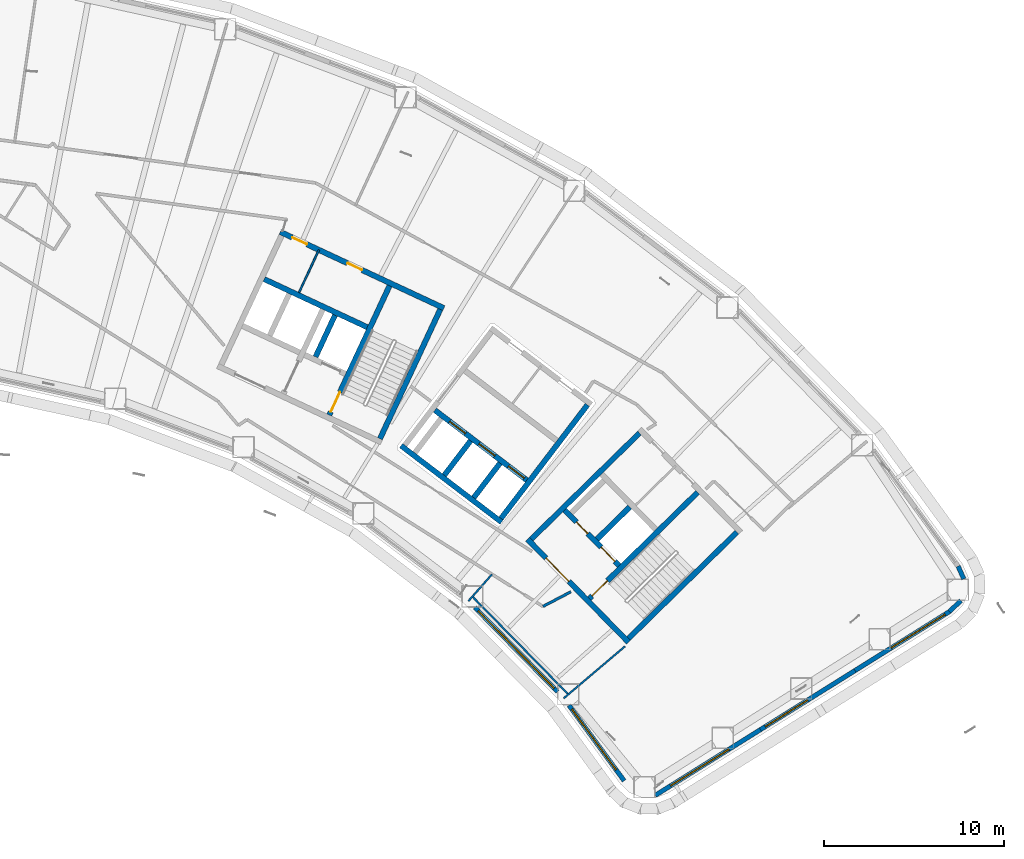
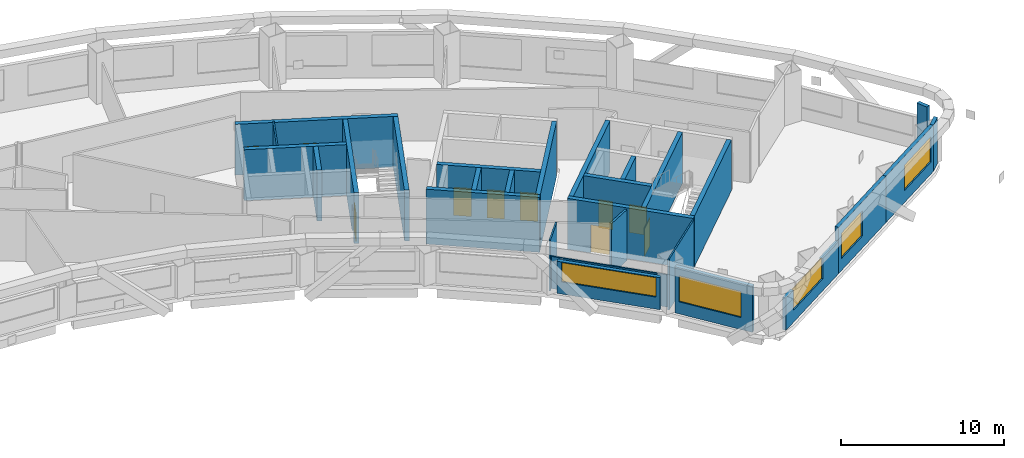
# One storey, part 6 of 19: 28 walls, 10 doors, 5 windows, 15 openings.
"""IFC4 building model written with IfcOpenShell, lengths in metres."""

from ifc_helpers import new_model, si_unit, direction, frame, frame_2d, origin, place, context, subcontext, project, spatial, rectangle, extrude, material, layer, layer_set, type_object, element, fill, save


model = new_model("IFC4")

# Units and contexts
model_context = context("Model", 3, precision=1e-05, world=origin(), true_north=direction((0.0, 1.0)))
body_context = subcontext(model_context, "Body", "Model", "MODEL_VIEW")
ifc_project = project(units=[si_unit("LENGTHUNIT", "METRE"), si_unit("AREAUNIT", "SQUARE_METRE"), si_unit("VOLUMEUNIT", "CUBIC_METRE"), si_unit("PLANEANGLEUNIT", "RADIAN"), si_unit("MASSUNIT", "GRAM", prefix="KILO")], contexts=[model_context])

# Site, building, storey
site_placement = place(None, origin())
site = spatial("IfcSite", under=ifc_project, at=site_placement, CompositionType="ELEMENT")
building_placement = place(site_placement, origin())
building = spatial("IfcBuilding", under=site, at=building_placement, Name="Tuul Gate Civic Tower", CompositionType="ELEMENT")
storey_placement = place(building_placement, frame((0.0, 0.0, 90.60009765625)))
storey = spatial("IfcBuildingStorey", under=building, at=storey_placement, Name="Level 20", CompositionType="ELEMENT", Elevation=90.60009765625)

# Wall, opening, door
ifc_material_1 = material(Name="Concrete C50/60", Category="concrete")
ifc_layer_1 = layer(ifc_material_1, 0.300048828125)
ifc_layer_set_1 = layer_set([ifc_layer_1], Name="Concrete C50/60")
wall_type_1 = type_object("IfcWallType", Name="Core wall C50/60", PredefinedType="SHEAR", material=ifc_layer_set_1)
wall_1_placement = place(storey_placement, frame((48.22509765625, -18.327880859375, 0.0), z_axis=(0.0, 0.0, 1.0), x_axis=(-0.700021979774, 0.714121297703, 0.0)))
wall_1 = element("IfcWall", 1, at=wall_1_placement, inside=storey, type_object=wall_type_1, Name="Core wall", PredefinedType="SHEAR", context=body_context, shape_type="SweptSolid", body=[
    extrude(rectangle(XDim=8.0, YDim=0.300048828125, at=frame_2d((4.0, 0.0))), origin(), (0.0, 0.0, 1.0), 3.7998046875),
])
opening_1_placement = place(wall_1_placement, frame((4.72509765625, 0.0, 0.0)))
opening_1 = element("IfcOpeningElement", 2, at=opening_1_placement, cuts=wall_1, Name="Opening LB-E1-LOBBY-1", PredefinedType="OPENING", context=body_context, shape_type="SweptSolid", body=[
    extrude(rectangle(XDim=1.800048828125, YDim=2.10009765625, at=frame_2d((0.89990234375, 1.050048828125))), frame((0.0, 0.16015625, 0.0), z_axis=(0.0, -1.0, 0.0), x_axis=(1.0, 0.0, 0.0)), (0.0, 0.0, 1.0), 0.320068359375),
])
ifc_material_2 = material(Name="Steel", Category="steel")
door_type_1 = type_object("IfcDoorType", Name="Lobby door", OperationType="DOUBLE_DOOR_SINGLE_SWING", PredefinedType="DOOR", material=ifc_material_2)
door_1_placement = place(opening_1_placement, frame((1.800048828125, 0.0, 0.0), z_axis=(0.0, 0.0, 1.0), x_axis=(-1.0, 0.0, 0.0)))
door_1 = element("IfcDoor", 3, at=door_1_placement, inside=storey, type_object=door_type_1, Name="Lobby door E1-LOBBY", OperationType="DOUBLE_DOOR_SINGLE_SWING", OverallHeight=2.10009765625, OverallWidth=1.800048828125, PredefinedType="DOOR", context=body_context, shape_type="SweptSolid", body=[
    extrude(rectangle(XDim=1.800048828125, YDim=2.10009765625, at=frame_2d((0.900146484375, 1.050048828125))), frame((0.0, 0.02490234375, 0.0), z_axis=(0.0, -1.0, 0.0), x_axis=(1.0, 0.0, 0.0)), (0.0, 0.0, 1.0), 0.050048828125),
])
fill(opening_1, door_1)

# Wall, openings, doors
wall_2_placement = place(storey_placement, frame((47.701904296875, -14.079833984375, 0.0), z_axis=(0.0, 0.0, 1.0), x_axis=(-0.700002721075, 0.714140175657, 0.0)))
wall_2 = element("IfcWall", 4, at=wall_2_placement, inside=storey, type_object=wall_type_1, Name="Core wall", PredefinedType="SHEAR", context=body_context, shape_type="SweptSolid", body=[
    extrude(rectangle(XDim=4.300048828125, YDim=0.300048828125, at=frame_2d((2.14990234375, 0.0))), origin(), (0.0, 0.0, 1.0), 3.7998046875),
])
opening_2_placement = place(wall_2_placement, frame((0.324951171875, 0.0, 0.0)))
opening_2 = element("IfcOpeningElement", 5, at=opening_2_placement, cuts=wall_2, Name="Opening LD-L4", PredefinedType="OPENING", context=body_context, shape_type="SweptSolid", body=[
    extrude(rectangle(XDim=1.10009765625, YDim=2.10009765625, at=frame_2d((0.550048828125, 1.050048828125))), frame((0.0, 0.16015625, 0.0), z_axis=(0.0, -1.0, 0.0), x_axis=(1.0, 0.0, 0.0)), (0.0, 0.0, 1.0), 0.320068359375),
])
opening_3_placement = place(wall_2_placement, frame((2.47509765625, 0.0, 0.0)))
opening_3 = element("IfcOpeningElement", 6, at=opening_3_placement, cuts=wall_2, Name="Opening FB-E1A2", PredefinedType="OPENING", context=body_context, shape_type="SweptSolid", body=[
    extrude(rectangle(XDim=0.89990234375, YDim=2.10009765625, at=frame_2d((0.449951171875, 1.050048828125))), frame((0.0, 0.16015625, 0.0), z_axis=(0.0, -1.0, 0.0), x_axis=(1.0, 0.0, 0.0)), (0.0, 0.0, 1.0), 0.320068359375),
])
ifc_material_3 = material(Name="Stainless steel", Category="steel")
door_type_2 = type_object("IfcDoorType", Name="Landing door", OperationType="DOUBLE_DOOR_SLIDING", PredefinedType="DOOR", material=ifc_material_3)
door_2_placement = place(opening_2_placement, origin())
door_2 = element("IfcDoor", 7, at=door_2_placement, inside=storey, type_object=door_type_2, Name="Low-rise lift L4 landing door", OperationType="DOUBLE_DOOR_SLIDING", OverallHeight=2.10009765625, OverallWidth=1.10009765625, PredefinedType="DOOR", context=body_context, shape_type="SweptSolid", body=[
    extrude(rectangle(XDim=1.10009765625, YDim=2.10009765625, at=frame_2d((0.550048828125, 1.050048828125))), frame((0.0, 0.02490234375, 0.0), z_axis=(0.0, -1.0, 0.0), x_axis=(1.0, 0.0, 0.0)), (0.0, 0.0, 1.0), 0.050048828125),
])
fill(opening_2, door_2)
ifc_material_4 = material(Name="Steel", Category="steel")
door_type_3 = type_object("IfcDoorType", Name="Store door", OperationType="NOTDEFINED", PredefinedType="DOOR", material=ifc_material_4)
door_3_placement = place(opening_3_placement, frame((0.89990234375, 0.0, 0.0), z_axis=(0.0, 0.0, 1.0), x_axis=(-1.0, 0.0, 0.0)))
door_3 = element("IfcDoor", 8, at=door_3_placement, inside=storey, type_object=door_type_3, Name="Store door E1A2", OperationType="SINGLE_SWING_LEFT", OverallHeight=2.10009765625, OverallWidth=0.89990234375, PredefinedType="DOOR", context=body_context, shape_type="SweptSolid", body=[
    extrude(rectangle(XDim=0.89990234375, YDim=2.10009765625, at=frame_2d((0.449951171875, 1.050048828125))), frame((0.0, 0.02490234375, 0.0), z_axis=(0.0, -1.0, 0.0), x_axis=(1.0, 0.0, 0.0)), (0.0, 0.0, 1.0), 0.050048828125),
])
fill(opening_3, door_3)

# Wall
wall_3_placement = place(storey_placement, frame((48.227294921875, -18.115966796875, 0.0), z_axis=(0.0, 0.0, 1.0), x_axis=(0.714105315431, 0.700038283577, 0.0)))
element("IfcWall", 9, at=wall_3_placement, inside=storey, type_object=wall_type_1, Name="Core wall", PredefinedType="SHEAR", context=body_context, shape_type="SweptSolid", body=[
    extrude(rectangle(XDim=8.400146484375, YDim=0.300048828125, at=frame_2d((4.2001953125, 0.0))), origin(), (0.0, 0.0, 1.0), 3.7998046875),
])

# Wall, opening, door
wall_4_placement = place(storey_placement, frame((46.05712890625, -15.902099609375, 0.0), z_axis=(0.0, 0.0, 1.0), x_axis=(0.714134086973, 0.700008932674, 0.0)))
wall_4 = element("IfcWall", 10, at=wall_4_placement, inside=storey, type_object=wall_type_1, Name="Core wall", PredefinedType="SHEAR", context=body_context, shape_type="SweptSolid", body=[
    extrude(rectangle(XDim=8.400146484375, YDim=0.300048828125, at=frame_2d((4.2001953125, 0.0))), origin(), (0.0, 0.0, 1.0), 3.7998046875),
])
opening_4_placement = place(wall_4_placement, frame((0.199951171875, 0.0, 0.0)))
opening_4 = element("IfcOpeningElement", 11, at=opening_4_placement, cuts=wall_4, Name="Opening SD-ST-3", PredefinedType="OPENING", context=body_context, shape_type="SweptSolid", body=[
    extrude(rectangle(XDim=1.199951171875, YDim=2.10009765625, at=frame_2d((0.60009765625, 1.050048828125))), frame((0.0, 0.16015625, 0.0), z_axis=(0.0, -1.0, 0.0), x_axis=(1.0, 0.0, 0.0)), (0.0, 0.0, 1.0), 0.320068359375),
])
ifc_material_5 = material(Name="Steel", Category="steel")
door_type_4 = type_object("IfcDoorType", Name="Stair door", OperationType="NOTDEFINED", PredefinedType="DOOR", material=ifc_material_5)
door_4_placement = place(opening_4_placement, origin())
door_4 = element("IfcDoor", 12, at=door_4_placement, inside=storey, type_object=door_type_4, Name="Stair door ST-3", OperationType="SINGLE_SWING_LEFT", OverallHeight=2.10009765625, OverallWidth=1.199951171875, PredefinedType="DOOR", context=body_context, shape_type="SweptSolid", body=[
    extrude(rectangle(XDim=1.199951171875, YDim=2.10009765625, at=frame_2d((0.60009765625, 1.050048828125))), frame((0.0, 0.02490234375, 0.0), z_axis=(0.0, -1.0, 0.0), x_axis=(1.0, 0.0, 0.0)), (0.0, 0.0, 1.0), 0.050048828125),
])
fill(opening_4, door_4)

# Walls
wall_5_placement = place(storey_placement, frame((46.47900390625, -12.617919921875, 0.0), z_axis=(0.0, 0.0, 1.0), x_axis=(0.71410944159, 0.700034074479, 0.0)))
element("IfcWall", 13, at=wall_5_placement, inside=storey, type_object=wall_type_1, Name="Core wall", PredefinedType="SHEAR", context=body_context, shape_type="SweptSolid", body=[
    extrude(rectangle(XDim=2.5498046875, YDim=0.300048828125, at=frame_2d((1.27490234375, 0.0))), origin(), (0.0, 0.0, 1.0), 3.7998046875),
])
wall_6_placement = place(storey_placement, frame((42.837158203125, -12.616943359375, 0.0), z_axis=(0.0, 0.0, 1.0), x_axis=(0.714119844755, 0.700023461983, 0.0)))
element("IfcWall", 14, at=wall_6_placement, inside=storey, type_object=wall_type_1, Name="Core wall", PredefinedType="SHEAR", context=body_context, shape_type="SweptSolid", body=[
    extrude(rectangle(XDim=8.39990234375, YDim=0.300048828125, at=frame_2d((4.199951171875, 0.0))), origin(), (0.0, 0.0, 1.0), 3.7998046875),
])
wall_7_placement = place(storey_placement, frame((33.75, -0.873779296875, 0.0), z_axis=(0.0, 0.0, 1.0), x_axis=(-0.906300917592, 0.422632992999, 0.0)))
element("IfcWall", 15, at=wall_7_placement, inside=storey, type_object=wall_type_1, Name="Core wall", PredefinedType="SHEAR", context=body_context, shape_type="SweptSolid", body=[
    extrude(rectangle(XDim=6.300048828125, YDim=0.300048828125, at=frame_2d((3.14990234375, 0.0))), origin(), (0.0, 0.0, 1.0), 3.7998046875),
])

# Wall, openings, doors
wall_8_placement = place(storey_placement, frame((37.993408203125, 0.181884765625, 0.0), z_axis=(0.0, 0.0, 1.0), x_axis=(-0.906310338845, 0.422612789327, 0.0)))
wall_8 = element("IfcWall", 16, at=wall_8_placement, inside=storey, type_object=wall_type_1, Name="Core wall", PredefinedType="SHEAR", context=body_context, shape_type="SweptSolid", body=[
    extrude(rectangle(XDim=9.999755859375, YDim=0.300048828125, at=frame_2d((5.0, 0.0))), origin(), (0.0, 0.0, 1.0), 3.7998046875),
])
opening_5_placement = place(wall_8_placement, frame((4.99365234375, 0.0, 0.0)))
opening_5 = element("IfcOpeningElement", 17, at=opening_5_placement, cuts=wall_8, Name="Opening F-D31", PredefinedType="OPENING", context=body_context, shape_type="SweptSolid", body=[
    extrude(rectangle(XDim=0.89990234375, YDim=2.10009765625, at=frame_2d((0.449951171875, 1.050048828125))), frame((0.0, 0.16015625, 0.0), z_axis=(0.0, -1.0, 0.0), x_axis=(1.0, 0.0, 0.0)), (0.0, 0.0, 1.0), 0.320068359375),
])
opening_6_placement = place(wall_8_placement, frame((8.368896484375, 0.0, 0.0)))
opening_6 = element("IfcOpeningElement", 18, at=opening_6_placement, cuts=wall_8, Name="Opening F-D32", PredefinedType="OPENING", context=body_context, shape_type="SweptSolid", body=[
    extrude(rectangle(XDim=0.89990234375, YDim=2.10009765625, at=frame_2d((0.449951171875, 1.050048828125))), frame((0.0, 0.16015625, 0.0), z_axis=(0.0, -1.0, 0.0), x_axis=(1.0, 0.0, 0.0)), (0.0, 0.0, 1.0), 0.320068359375),
])
ifc_material_6 = material(Name="Timber door leaf", Category="wood")
door_type_5 = type_object("IfcDoorType", Name="Door D09", OperationType="NOTDEFINED", PredefinedType="DOOR", material=ifc_material_6)
door_5_placement = place(opening_5_placement, origin())
door_5 = element("IfcDoor", 19, at=door_5_placement, inside=storey, type_object=door_type_5, Name="Door F-D31", OperationType="SINGLE_SWING_LEFT", OverallHeight=2.10009765625, OverallWidth=0.89990234375, PredefinedType="DOOR", context=body_context, shape_type="SweptSolid", body=[
    extrude(rectangle(XDim=0.89990234375, YDim=2.10009765625, at=frame_2d((0.449951171875, 1.050048828125))), frame((0.0, 0.02490234375, 0.0), z_axis=(0.0, -1.0, 0.0), x_axis=(1.0, 0.0, 0.0)), (0.0, 0.0, 1.0), 0.050048828125),
])
fill(opening_5, door_5)
door_6_placement = place(opening_6_placement, origin())
door_6 = element("IfcDoor", 20, at=door_6_placement, inside=storey, type_object=door_type_5, Name="Door F-D32", OperationType="SINGLE_SWING_RIGHT", OverallHeight=2.10009765625, OverallWidth=0.89990234375, PredefinedType="DOOR", context=body_context, shape_type="SweptSolid", body=[
    extrude(rectangle(XDim=0.89990234375, YDim=2.10009765625, at=frame_2d((0.449951171875, 1.050048828125))), frame((0.0, 0.02490234375, 0.0), z_axis=(0.0, -1.0, 0.0), x_axis=(1.0, 0.0, 0.0)), (0.0, 0.0, 1.0), 0.050048828125),
])
fill(opening_6, door_6)

# Wall
wall_9_placement = place(storey_placement, frame((34.455810546875, -7.05078125, 0.0), z_axis=(0.0, 0.0, 1.0), x_axis=(0.422570768258, 0.906329932096, 0.0)))
element("IfcWall", 21, at=wall_9_placement, inside=storey, type_object=wall_type_1, Name="Core wall", PredefinedType="SHEAR", context=body_context, shape_type="SweptSolid", body=[
    extrude(rectangle(XDim=7.900146484375, YDim=0.300048828125, at=frame_2d((3.9501953125, 0.0))), origin(), (0.0, 0.0, 1.0), 3.7998046875),
])

# Wall, opening, door
wall_10_placement = place(storey_placement, frame((31.646240234375, -5.740478515625, 0.0), z_axis=(0.0, 0.0, 1.0), x_axis=(0.422582604137, 0.906324413596, 0.0)))
wall_10 = element("IfcWall", 22, at=wall_10_placement, inside=storey, type_object=wall_type_1, Name="Core wall", PredefinedType="SHEAR", context=body_context, shape_type="SweptSolid", body=[
    extrude(rectangle(XDim=7.89990234375, YDim=0.300048828125, at=frame_2d((3.949951171875, 0.0))), origin(), (0.0, 0.0, 1.0), 3.7998046875),
])
opening_7_placement = place(wall_10_placement, frame((0.199951171875, 0.0, 0.0)))
opening_7 = element("IfcOpeningElement", 23, at=opening_7_placement, cuts=wall_10, Name="Opening SD-ST-4", PredefinedType="OPENING", context=body_context, shape_type="SweptSolid", body=[
    extrude(rectangle(XDim=1.199951171875, YDim=2.10009765625, at=frame_2d((0.60009765625, 1.050048828125))), frame((0.0, 0.16015625, 0.0), z_axis=(0.0, -1.0, 0.0), x_axis=(1.0, 0.0, 0.0)), (0.0, 0.0, 1.0), 0.320068359375),
])
door_7_placement = place(opening_7_placement, origin())
door_7 = element("IfcDoor", 24, at=door_7_placement, inside=storey, type_object=door_type_4, Name="Stair door ST-4", OperationType="SINGLE_SWING_LEFT", OverallHeight=2.10009765625, OverallWidth=1.199951171875, PredefinedType="DOOR", context=body_context, shape_type="SweptSolid", body=[
    extrude(rectangle(XDim=1.199951171875, YDim=2.10009765625, at=frame_2d((0.60009765625, 1.050048828125))), frame((0.0, 0.02490234375, 0.0), z_axis=(0.0, -1.0, 0.0), x_axis=(1.0, 0.0, 0.0)), (0.0, 0.0, 1.0), 0.050048828125),
])
fill(opening_7, door_7)

# Walls
wall_11_placement = place(storey_placement, frame((30.886962890625, -2.517822265625, 0.0), z_axis=(0.0, 0.0, 1.0), x_axis=(0.422612891016, 0.906310291427, 0.0)))
element("IfcWall", 25, at=wall_11_placement, inside=storey, type_object=wall_type_1, Name="Core wall", PredefinedType="SHEAR", context=body_context, shape_type="SweptSolid", body=[
    extrude(rectangle(XDim=2.550048828125, YDim=0.300048828125, at=frame_2d((1.27490234375, 0.0))), origin(), (0.0, 0.0, 1.0), 3.7998046875),
])
ifc_material_7 = material(Name="Gypsum board partition")
ifc_layer_2 = layer(ifc_material_7, 0.14990234375)
ifc_layer_set_2 = layer_set([ifc_layer_2], Name="Gypsum board partition")
wall_type_2 = type_object("IfcWallType", Name="Corridor wall P150", PredefinedType="PARTITIONING", material=ifc_layer_set_2)
wall_12_placement = place(storey_placement, frame((43.486328125, -16.343505859375, 0.0), z_axis=(0.0, 0.0, 1.0), x_axis=(0.885541573499, 0.464560137769, 0.0)))
element("IfcWall", 26, at=wall_12_placement, inside=storey, type_object=wall_type_2, Name="p038", PredefinedType="PARTITIONING", context=body_context, shape_type="SweptSolid", body=[
    extrude(rectangle(XDim=1.747802734375, YDim=0.14990234375, at=frame_2d((0.8740234375, 0.0))), origin(), (0.0, 0.0, 1.0), 3.7998046875),
])
ifc_material_8 = material(Name="Precast concrete C40/50", Category="concrete")
ifc_layer_3 = layer(ifc_material_8, 0.25)
ifc_layer_set_3 = layer_set([ifc_layer_3], Name="Precast concrete C40/50")
wall_type_3 = type_object("IfcWallType", Name="External wall", PredefinedType="STANDARD", material=ifc_layer_set_3)
wall_13_placement = place(storey_placement, frame((65.99853515625, -16.634765625, 0.0), z_axis=(0.0, 0.0, 1.0), x_axis=(0.722211506859, 0.691672277426, 0.0)))
element("IfcWall", 27, at=wall_13_placement, inside=storey, type_object=wall_type_3, Name="External wall", PredefinedType="STANDARD", context=body_context, shape_type="SweptSolid", body=[
    extrude(rectangle(XDim=0.887451171875, YDim=0.25, at=frame_2d((0.44384765625, 0.0))), origin(), (0.0, 0.0, 1.0), 3.449951171875),
])
wall_14_placement = place(storey_placement, frame((66.803955078125, -14.821044921875, 0.0), z_axis=(0.0, 0.0, 1.0), x_axis=(-0.412280175097, 0.911057109748, 0.0)))
element("IfcWall", 28, at=wall_14_placement, inside=storey, type_object=wall_type_3, Name="External wall", PredefinedType="STANDARD", context=body_context, shape_type="SweptSolid", body=[
    extrude(rectangle(XDim=0.7734375, YDim=0.25, at=frame_2d((0.38671875, 0.0))), origin(), (0.0, 0.0, 1.0), 3.449951171875),
])

# Wall, opening, window
wall_15_placement = place(storey_placement, frame((44.925537109375, -21.818115234375, 0.0), z_axis=(0.0, 0.0, 1.0), x_axis=(0.589865366451, -0.807501609572, 0.0)))
wall_15 = element("IfcWall", 29, at=wall_15_placement, inside=storey, type_object=wall_type_3, Name="External wall", PredefinedType="STANDARD", context=body_context, shape_type="SweptSolid", body=[
    extrude(rectangle(XDim=5.181396484375, YDim=0.25, at=frame_2d((2.5908203125, 0.0))), origin(), (0.0, 0.0, 1.0), 3.449951171875),
])
opening_8_placement = place(wall_15_placement, frame((0.279052734375, 0.0, 0.89990234375)))
opening_8 = element("IfcOpeningElement", 30, at=opening_8_placement, cuts=wall_15, Name="Opening W143", PredefinedType="OPENING", context=body_context, shape_type="SweptSolid", body=[
    extrude(rectangle(XDim=4.14990234375, YDim=1.949951171875, at=frame_2d((2.074951171875, 0.97509765625))), frame((0.0, 0.135009765625, 0.0), z_axis=(0.0, -1.0, 0.0), x_axis=(1.0, 0.0, 0.0)), (0.0, 0.0, 1.0), 0.27001953125),
])
ifc_material_9 = material(Name="Glass", Category="glass")
window_type_1 = type_object("IfcWindowType", Name="Window W143 4150 x 1950", PartitioningType="SINGLE_PANEL", PredefinedType="WINDOW", material=ifc_material_9)
window_1_placement = place(opening_8_placement, origin())
window_1 = element("IfcWindow", 31, at=window_1_placement, inside=storey, type_object=window_type_1, Name="Window", OverallHeight=1.949951171875, OverallWidth=4.14990234375, PartitioningType="SINGLE_PANEL", PredefinedType="WINDOW", context=body_context, shape_type="SweptSolid", body=[
    extrude(rectangle(XDim=4.14990234375, YDim=1.949951171875, at=frame_2d((2.074951171875, 0.97509765625))), frame((0.0, 0.030029296875, 0.0), z_axis=(0.0, -1.0, 0.0), x_axis=(1.0, 0.0, 0.0)), (0.0, 0.0, 1.0), 0.06005859375),
])
fill(opening_8, window_1)

wall_16_placement = place(storey_placement, frame((55.531982421875, -23.171630859375, 0.0), z_axis=(0.0, 0.0, 1.0), x_axis=(0.848053758074, 0.529910203164, 0.0)))
wall_16 = element("IfcWall", 32, at=wall_16_placement, inside=storey, type_object=wall_type_3, Name="External wall", PredefinedType="STANDARD", context=body_context, shape_type="SweptSolid", body=[
    extrude(rectangle(XDim=6.182861328125, YDim=0.25, at=frame_2d((3.09130859375, 0.0))), origin(), (0.0, 0.0, 1.0), 3.449951171875),
])
opening_9_placement = place(wall_16_placement, frame((0.330078125, 0.0, 0.89990234375)))
opening_9 = element("IfcOpeningElement", 33, at=opening_9_placement, cuts=wall_16, Name="Opening W145", PredefinedType="OPENING", context=body_context, shape_type="SweptSolid", body=[
    extrude(rectangle(XDim=2.75, YDim=1.89990234375, at=frame_2d((1.375, 0.949951171875))), frame((0.0, 0.135009765625, 0.0), z_axis=(0.0, -1.0, 0.0), x_axis=(1.0, 0.0, 0.0)), (0.0, 0.0, 1.0), 0.27001953125),
])
ifc_material_10 = material(Name="Glass", Category="glass")
window_type_2 = type_object("IfcWindowType", Name="Window W145 2750 x 1900", PartitioningType="SINGLE_PANEL", PredefinedType="WINDOW", material=ifc_material_10)
window_2_placement = place(opening_9_placement, origin())
window_2 = element("IfcWindow", 34, at=window_2_placement, inside=storey, type_object=window_type_2, Name="Window", OverallHeight=1.89990234375, OverallWidth=2.75, PartitioningType="SINGLE_PANEL", PredefinedType="WINDOW", context=body_context, shape_type="SweptSolid", body=[
    extrude(rectangle(XDim=2.75, YDim=1.89990234375, at=frame_2d((1.375, 0.949951171875))), frame((0.0, 0.030029296875, 0.0), z_axis=(0.0, -1.0, 0.0), x_axis=(1.0, 0.0, 0.0)), (0.0, 0.0, 1.0), 0.06005859375),
])
fill(opening_9, window_2)

wall_17_placement = place(storey_placement, frame((60.775390625, -19.895263671875, 0.0), z_axis=(0.0, 0.0, 1.0), x_axis=(0.848053758074, 0.529910203164, 0.0)))
wall_17 = element("IfcWall", 35, at=wall_17_placement, inside=storey, type_object=wall_type_3, Name="External wall", PredefinedType="STANDARD", context=body_context, shape_type="SweptSolid", body=[
    extrude(rectangle(XDim=6.182861328125, YDim=0.25, at=frame_2d((3.09130859375, 0.0))), origin(), (0.0, 0.0, 1.0), 3.449951171875),
])
opening_10_placement = place(wall_17_placement, frame((2.364013671875, 0.0, 0.89990234375)))
opening_10 = element("IfcOpeningElement", 36, at=opening_10_placement, cuts=wall_17, Name="Opening W146", PredefinedType="OPENING", context=body_context, shape_type="SweptSolid", body=[
    extrude(rectangle(XDim=3.5, YDim=1.89990234375, at=frame_2d((1.75, 0.949951171875))), frame((0.0, 0.135009765625, 0.0), z_axis=(0.0, -1.0, 0.0), x_axis=(1.0, 0.0, 0.0)), (0.0, 0.0, 1.0), 0.27001953125),
])
ifc_material_11 = material(Name="Glass", Category="glass")
window_type_3 = type_object("IfcWindowType", Name="Window W146 3500 x 1900", PartitioningType="SINGLE_PANEL", PredefinedType="WINDOW", material=ifc_material_11)
window_3_placement = place(opening_10_placement, origin())
window_3 = element("IfcWindow", 37, at=window_3_placement, inside=storey, type_object=window_type_3, Name="Window", OverallHeight=1.89990234375, OverallWidth=3.5, PartitioningType="SINGLE_PANEL", PredefinedType="WINDOW", context=body_context, shape_type="SweptSolid", body=[
    extrude(rectangle(XDim=3.5, YDim=1.89990234375, at=frame_2d((1.75, 0.949951171875))), frame((0.0, 0.030029296875, 0.0), z_axis=(0.0, -1.0, 0.0), x_axis=(1.0, 0.0, 0.0)), (0.0, 0.0, 1.0), 0.06005859375),
])
fill(opening_10, window_3)

ifc_material_12 = material(Name="Precast concrete C40/50", Category="concrete")
ifc_layer_4 = layer(ifc_material_12, 0.25)
ifc_layer_set_4 = layer_set([ifc_layer_4], Name="Precast concrete C40/50")
wall_type_4 = type_object("IfcWallType", Name="External wall 2400 HIGH", PredefinedType="STANDARD", material=ifc_layer_set_4)
wall_18_placement = place(storey_placement, frame((39.70703125, -16.39599609375, 0.0), z_axis=(0.0, 0.0, 1.0), x_axis=(0.700096771337, -0.714047975114, 0.0)))
wall_18 = element("IfcWall", 38, at=wall_18_placement, inside=storey, type_object=wall_type_4, Name="External wall", PredefinedType="STANDARD", context=body_context, shape_type="SweptSolid", body=[
    extrude(rectangle(XDim=6.544921875, YDim=0.25, at=frame_2d((3.2724609375, 0.0))), origin(), (0.0, 0.0, 1.0), 2.39990234375),
])
opening_11_placement = place(wall_18_placement, frame((0.27490234375, 0.0, 0.89990234375)))
opening_11 = element("IfcOpeningElement", 39, at=opening_11_placement, cuts=wall_18, Name="Opening W107", PredefinedType="OPENING", context=body_context, shape_type="SweptSolid", body=[
    extrude(rectangle(XDim=6.0, YDim=1.449951171875, at=frame_2d((3.0, 0.72509765625))), frame((0.0, 0.135009765625, 0.0), z_axis=(0.0, -1.0, 0.0), x_axis=(1.0, 0.0, 0.0)), (0.0, 0.0, 1.0), 0.27001953125),
])
ifc_material_13 = material(Name="Glass", Category="glass")
window_type_4 = type_object("IfcWindowType", Name="Window W107 6000 x 1450", PartitioningType="SINGLE_PANEL", PredefinedType="WINDOW", material=ifc_material_13)
window_4_placement = place(opening_11_placement, origin())
window_4 = element("IfcWindow", 40, at=window_4_placement, inside=storey, type_object=window_type_4, Name="Window", OverallHeight=1.449951171875, OverallWidth=6.0, PartitioningType="SINGLE_PANEL", PredefinedType="WINDOW", context=body_context, shape_type="SweptSolid", body=[
    extrude(rectangle(XDim=6.0, YDim=1.449951171875, at=frame_2d((3.0, 0.72509765625))), frame((0.0, 0.030029296875, 0.0), z_axis=(0.0, -1.0, 0.0), x_axis=(1.0, 0.0, 0.0)), (0.0, 0.0, 1.0), 0.06005859375),
])
fill(opening_11, window_4)

wall_19_placement = place(storey_placement, frame((49.708984375, -26.810302734375, 0.0), z_axis=(0.0, 0.0, 1.0), x_axis=(0.848044243862, 0.529925429144, 0.0)))
wall_19 = element("IfcWall", 41, at=wall_19_placement, inside=storey, type_object=wall_type_4, Name="External wall", PredefinedType="STANDARD", context=body_context, shape_type="SweptSolid", body=[
    extrude(rectangle(XDim=6.866455078125, YDim=0.25, at=frame_2d((3.43310546875, 0.0))), origin(), (0.0, 0.0, 1.0), 2.39990234375),
])
opening_12_placement = place(wall_19_placement, frame((1.0, 0.0, 0.89990234375)))
opening_12 = element("IfcOpeningElement", 42, at=opening_12_placement, cuts=wall_19, Name="Opening W158", PredefinedType="OPENING", context=body_context, shape_type="SweptSolid", body=[
    extrude(rectangle(XDim=3.800048828125, YDim=1.5, at=frame_2d((1.89990234375, 0.75))), frame((0.0, 0.135009765625, 0.0), z_axis=(0.0, -1.0, 0.0), x_axis=(1.0, 0.0, 0.0)), (0.0, 0.0, 1.0), 0.27001953125),
])
ifc_material_14 = material(Name="Glass", Category="glass")
window_type_5 = type_object("IfcWindowType", Name="Window 3800 x 1500", PartitioningType="SINGLE_PANEL", PredefinedType="WINDOW", material=ifc_material_14)
window_5_placement = place(opening_12_placement, origin())
window_5 = element("IfcWindow", 43, at=window_5_placement, inside=storey, type_object=window_type_5, Name="Window", OverallHeight=1.5, OverallWidth=3.800048828125, PartitioningType="SINGLE_PANEL", PredefinedType="WINDOW", context=body_context, shape_type="SweptSolid", body=[
    extrude(rectangle(XDim=3.800048828125, YDim=1.5, at=frame_2d((1.89990234375, 0.75))), frame((0.0, 0.030029296875, 0.0), z_axis=(0.0, -1.0, 0.0), x_axis=(1.0, 0.0, 0.0)), (0.0, 0.0, 1.0), 0.06005859375),
])
fill(opening_12, window_5)

# Wall
ifc_material_15 = material(Name="Concrete C40/50", Category="concrete")
ifc_layer_5 = layer(ifc_material_15, 0.300048828125)
ifc_layer_set_5 = layer_set([ifc_layer_5], Name="Concrete C40/50")
wall_type_5 = type_object("IfcWallType", Name="Lift shaft wall C40/50", PredefinedType="STANDARD", material=ifc_layer_set_5)
wall_20_placement = place(storey_placement, frame((41.19189453125, -11.677734375, -0.300048828125), z_axis=(0.0, 0.0, 1.0), x_axis=(-0.795563000331, 0.605870871147, 0.0)))
element("IfcWall", 44, at=wall_20_placement, inside=storey, type_object=wall_type_5, Name="Shaft wall", PredefinedType="STANDARD", context=body_context, shape_type="SweptSolid", body=[
    extrude(rectangle(XDim=7.000244140625, YDim=0.300048828125, at=frame_2d((3.5, 0.0))), origin(), (0.0, 0.0, 1.0), 4.099853515625),
])

# Wall, openings, doors
wall_21_placement = place(storey_placement, frame((42.5888671875, -9.34765625, -0.300048828125), z_axis=(0.0, 0.0, 1.0), x_axis=(-0.795584062101, 0.605843214149, 0.0)))
wall_21 = element("IfcWall", 45, at=wall_21_placement, inside=storey, type_object=wall_type_5, Name="Shaft wall", PredefinedType="STANDARD", context=body_context, shape_type="SweptSolid", body=[
    extrude(rectangle(XDim=6.400146484375, YDim=0.300048828125, at=frame_2d((3.2001953125, 0.0))), origin(), (0.0, 0.0, 1.0), 4.099853515625),
])
opening_13_placement = place(wall_21_placement, frame((0.175048828125, 0.0, 0.300048828125)))
opening_13 = element("IfcOpeningElement", 46, at=opening_13_placement, cuts=wall_21, Name="Opening LD-L1", PredefinedType="OPENING", context=body_context, shape_type="SweptSolid", body=[
    extrude(rectangle(XDim=1.10009765625, YDim=2.10009765625, at=frame_2d((0.550048828125, 1.050048828125))), frame((0.0, 0.16015625, 0.0), z_axis=(0.0, -1.0, 0.0), x_axis=(1.0, 0.0, 0.0)), (0.0, 0.0, 1.0), 0.320068359375),
])
opening_14_placement = place(wall_21_placement, frame((2.22509765625, 0.0, 0.300048828125)))
opening_14 = element("IfcOpeningElement", 47, at=opening_14_placement, cuts=wall_21, Name="Opening LD-L2", PredefinedType="OPENING", context=body_context, shape_type="SweptSolid", body=[
    extrude(rectangle(XDim=1.10009765625, YDim=2.10009765625, at=frame_2d((0.550048828125, 1.050048828125))), frame((0.0, 0.16015625, 0.0), z_axis=(0.0, -1.0, 0.0), x_axis=(1.0, 0.0, 0.0)), (0.0, 0.0, 1.0), 0.320068359375),
])
opening_15_placement = place(wall_21_placement, frame((4.27490234375, 0.0, 0.300048828125)))
opening_15 = element("IfcOpeningElement", 48, at=opening_15_placement, cuts=wall_21, Name="Opening LD-L3", PredefinedType="OPENING", context=body_context, shape_type="SweptSolid", body=[
    extrude(rectangle(XDim=1.10009765625, YDim=2.10009765625, at=frame_2d((0.550048828125, 1.050048828125))), frame((0.0, 0.16015625, 0.0), z_axis=(0.0, -1.0, 0.0), x_axis=(1.0, 0.0, 0.0)), (0.0, 0.0, 1.0), 0.320068359375),
])
door_8_placement = place(opening_13_placement, origin())
door_8 = element("IfcDoor", 49, at=door_8_placement, inside=storey, type_object=door_type_2, Name="Low-rise lift L1 landing door", OperationType="DOUBLE_DOOR_SLIDING", OverallHeight=2.10009765625, OverallWidth=1.10009765625, PredefinedType="DOOR", context=body_context, shape_type="SweptSolid", body=[
    extrude(rectangle(XDim=1.10009765625, YDim=2.10009765625, at=frame_2d((0.550048828125, 1.050048828125))), frame((0.0, 0.02490234375, 0.0), z_axis=(0.0, -1.0, 0.0), x_axis=(1.0, 0.0, 0.0)), (0.0, 0.0, 1.0), 0.050048828125),
])
fill(opening_13, door_8)
door_9_placement = place(opening_14_placement, origin())
door_9 = element("IfcDoor", 50, at=door_9_placement, inside=storey, type_object=door_type_2, Name="Low-rise lift L2 landing door", OperationType="DOUBLE_DOOR_SLIDING", OverallHeight=2.10009765625, OverallWidth=1.10009765625, PredefinedType="DOOR", context=body_context, shape_type="SweptSolid", body=[
    extrude(rectangle(XDim=1.10009765625, YDim=2.10009765625, at=frame_2d((0.550048828125, 1.050048828125))), frame((0.0, 0.02490234375, 0.0), z_axis=(0.0, -1.0, 0.0), x_axis=(1.0, 0.0, 0.0)), (0.0, 0.0, 1.0), 0.050048828125),
])
fill(opening_14, door_9)
door_10_placement = place(opening_15_placement, origin())
door_10 = element("IfcDoor", 51, at=door_10_placement, inside=storey, type_object=door_type_2, Name="Low-rise lift L3 landing door", OperationType="DOUBLE_DOOR_SLIDING", OverallHeight=2.10009765625, OverallWidth=1.10009765625, PredefinedType="DOOR", context=body_context, shape_type="SweptSolid", body=[
    extrude(rectangle(XDim=1.10009765625, YDim=2.10009765625, at=frame_2d((0.550048828125, 1.050048828125))), frame((0.0, 0.02490234375, 0.0), z_axis=(0.0, -1.0, 0.0), x_axis=(1.0, 0.0, 0.0)), (0.0, 0.0, 1.0), 0.050048828125),
])
fill(opening_15, door_10)

# Walls
wall_22_placement = place(storey_placement, frame((41.163330078125, -11.46728515625, -0.300048828125), z_axis=(0.0, 0.0, 1.0), x_axis=(0.605784332699, 0.795628897324, 0.0)))
element("IfcWall", 52, at=wall_22_placement, inside=storey, type_object=wall_type_5, Name="Shaft wall", PredefinedType="STANDARD", context=body_context, shape_type="SweptSolid", body=[
    extrude(rectangle(XDim=7.89990234375, YDim=0.300048828125, at=frame_2d((3.949951171875, 0.0))), origin(), (0.0, 0.0, 1.0), 4.099853515625),
])
wall_23_placement = place(storey_placement, frame((39.65185546875, -10.31640625, -0.300048828125), z_axis=(0.0, 0.0, 1.0), x_axis=(0.605745892068, 0.79565816419, 0.0)))
element("IfcWall", 53, at=wall_23_placement, inside=storey, type_object=wall_type_5, Name="Shaft wall", PredefinedType="STANDARD", context=body_context, shape_type="SweptSolid", body=[
    extrude(rectangle(XDim=2.400146484375, YDim=0.300048828125, at=frame_2d((1.2001953125, 0.0))), origin(), (0.0, 0.0, 1.0), 4.099853515625),
])
wall_24_placement = place(storey_placement, frame((38.02099609375, -9.07421875, -0.300048828125), z_axis=(0.0, 0.0, 1.0), x_axis=(0.605730519254, 0.795669867498, 0.0)))
element("IfcWall", 54, at=wall_24_placement, inside=storey, type_object=wall_type_5, Name="Shaft wall", PredefinedType="STANDARD", context=body_context, shape_type="SweptSolid", body=[
    extrude(rectangle(XDim=2.399658203125, YDim=0.300048828125, at=frame_2d((1.19970703125, 0.0))), origin(), (0.0, 0.0, 1.0), 4.099853515625),
])
ifc_material_16 = material(Name="Gypsum board partition")
ifc_layer_6 = layer(ifc_material_16, 0.10009765625)
ifc_layer_set_6 = layer_set([ifc_layer_6], Name="Gypsum board partition")
wall_type_6 = type_object("IfcWallType", Name="Partition P100", PredefinedType="PARTITIONING", material=ifc_layer_set_6)
wall_25_placement = place(storey_placement, frame((44.636962890625, -21.431396484375, 0.0), z_axis=(0.0, 0.0, 1.0), x_axis=(0.762857043272, 0.646567190267, 0.0)))
element("IfcWall", 55, at=wall_25_placement, inside=storey, type_object=wall_type_6, Name="p002", PredefinedType="PARTITIONING", context=body_context, shape_type="SweptSolid", body=[
    extrude(rectangle(XDim=4.446533203125, YDim=0.10009765625, at=frame_2d((2.22314453125, 0.0))), origin(), (0.0, 0.0, 1.0), 3.7998046875),
])
wall_26_placement = place(storey_placement, frame((39.355712890625, -16.044921875, 0.0), z_axis=(0.0, 0.0, 1.0), x_axis=(0.661601224759, 0.749855865748, 0.0)))
element("IfcWall", 56, at=wall_26_placement, inside=storey, type_object=wall_type_6, Name="p035", PredefinedType="PARTITIONING", context=body_context, shape_type="SweptSolid", body=[
    extrude(rectangle(XDim=1.97802734375, YDim=0.10009765625, at=frame_2d((0.989013671875, 0.0))), origin(), (0.0, 0.0, 1.0), 3.7998046875),
])
wall_27_placement = place(storey_placement, frame((29.972900390625, 1.052978515625, 0.0), z_axis=(0.0, 0.0, 1.0), x_axis=(0.422556439746, 0.906336612539, 0.0)))
element("IfcWall", 57, at=wall_27_placement, inside=storey, type_object=wall_type_6, Name="bE3-BAND-0", PredefinedType="PARTITIONING", context=body_context, shape_type="SweptSolid", body=[
    extrude(rectangle(XDim=2.599853515625, YDim=0.10009765625, at=frame_2d((1.2998046875, 0.0))), origin(), (0.0, 0.0, 1.0), 3.7998046875),
])
ifc_material_17 = material(Name="Gypsum board partition")
ifc_layer_7 = layer(ifc_material_17, 0.10009765625)
ifc_layer_set_7 = layer_set([ifc_layer_7], Name="Gypsum board partition")
wall_type_7 = type_object("IfcWallType", Name="Partition P100 2400 HIGH", PredefinedType="PARTITIONING", material=ifc_layer_set_7)
wall_28_placement = place(storey_placement, frame((44.88916015625, -21.21728515625, 0.0), z_axis=(0.0, 0.0, 1.0), x_axis=(-0.70007719872, 0.714067164791, 0.0)))
element("IfcWall", 58, at=wall_28_placement, inside=storey, type_object=wall_type_7, Name="p065", PredefinedType="PARTITIONING", context=body_context, shape_type="SweptSolid", body=[
    extrude(rectangle(XDim=7.59130859375, YDim=0.10009765625, at=frame_2d((3.795654296875, 0.0))), origin(), (0.0, 0.0, 1.0), 2.39990234375),
])

save(model, "model.ifc")
